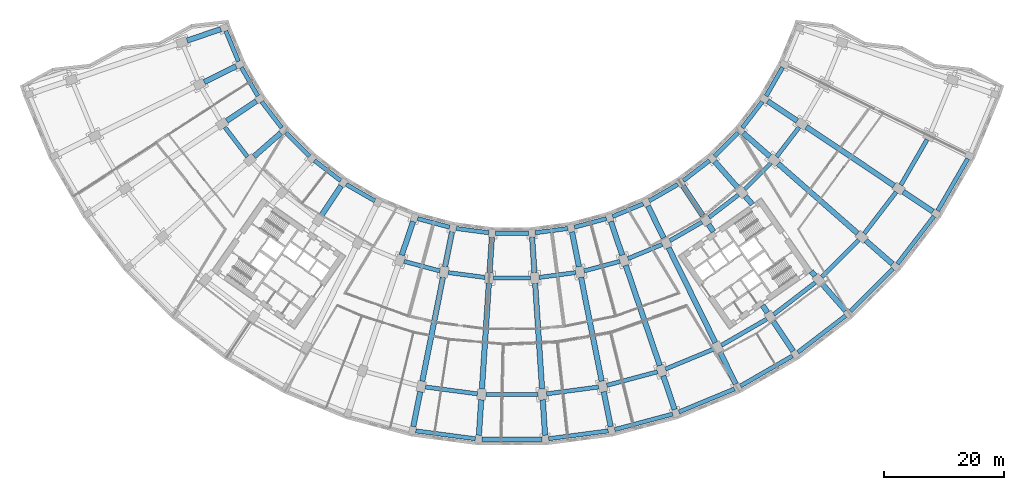
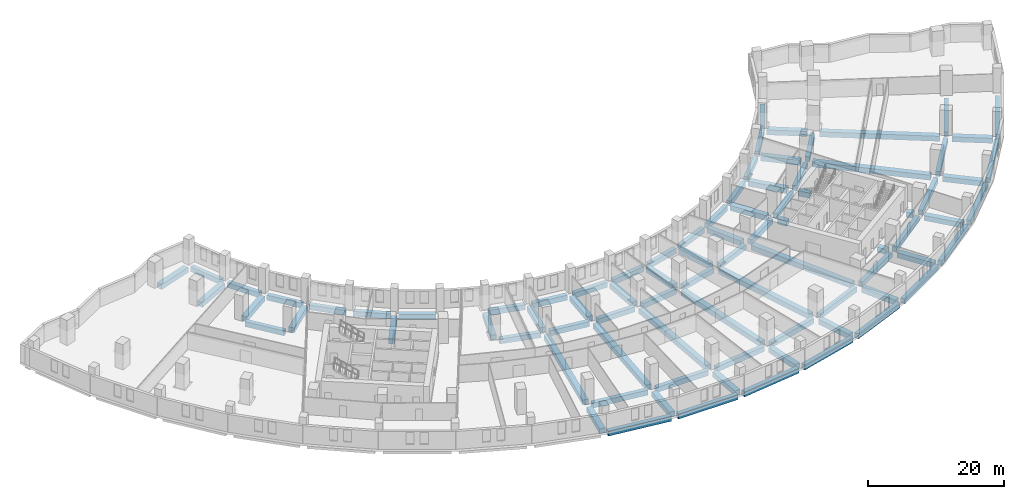
# One storey, part 2 of 20: 86 beams.
"""IFC4 building model written with IfcOpenShell, lengths in metres."""

from ifc_helpers import new_model, si_unit, direction, frame, origin, origin_2d, place, context, subcontext, project, spatial, rectangle, extrude, material, material_profile, profile_set, type_object, element, save


model = new_model("IFC4")

# Units and contexts
model_context = context("Model", 3, precision=1e-05, world=origin(), true_north=direction((0.0, 1.0)))
body_context = subcontext(model_context, "Body", "Model", "MODEL_VIEW")
ifc_project = project(units=[si_unit("LENGTHUNIT", "METRE"), si_unit("AREAUNIT", "SQUARE_METRE"), si_unit("VOLUMEUNIT", "CUBIC_METRE"), si_unit("PLANEANGLEUNIT", "RADIAN"), si_unit("MASSUNIT", "GRAM", prefix="KILO")], contexts=[model_context])

# Site, building, storey
site_placement = place(None, origin())
site = spatial("IfcSite", under=ifc_project, at=site_placement, CompositionType="ELEMENT")
building_placement = place(site_placement, origin())
building = spatial("IfcBuilding", under=site, at=building_placement, Name="Qamariyya Broadcast Tower", CompositionType="ELEMENT")
storey_placement = place(building_placement, frame((0.0, 0.0, 31.5)))
storey = spatial("IfcBuildingStorey", under=building, at=storey_placement, Name="L04", CompositionType="ELEMENT", Elevation=31.5)

# Beams
ifc_material = material(Name="Concrete C50/60", Category="concrete")
ifc_material_profile_1 = material_profile(ifc_material, rectangle(XDim=0.699951171875, YDim=0.89990234375, at=origin_2d()))
ifc_profile_set_1 = profile_set([ifc_material_profile_1], Name="Concrete C50/60")
beam_type_1 = type_object("IfcBeamType", Name="RC edge beam 700 x 900 C50/60", PredefinedType="SPANDREL", material=ifc_profile_set_1)
beam_1_placement = place(storey_placement, frame((-47.845703125, -16.822265625, -0.85009765625), z_axis=(0.382654292645, -0.92389160204, 0.0), x_axis=(0.92389160204, 0.382654292645, 0.0)))
element("IfcBeam", 1, at=beam_1_placement, inside=storey, type_object=beam_type_1, Name="Edge beam B2 L04 A R01-R02", PredefinedType="SPANDREL", context=body_context, shape_type="SweptSolid", body=[
    extrude(rectangle(XDim=0.699951171875, YDim=0.89990234375, at=origin_2d()), origin(), (0.0, 0.0, 1.0), 5.5361328125),
])
for number, where, z_axis, x_axis, name in (
    (2, (-45.24072265625, -22.923583984375, -0.85009765625), (0.500018944545, -0.86601446587, 0.0), (0.86601446587, 0.500018944545, 0.0), "Edge beam B2 L04 A R02-R03"),
    (3, (-41.861572265625, -28.632568359375, -0.85009765625), (0.60877682934, -0.793341522964, 0.0), (0.793341522964, 0.60877682934, 0.0), "Edge beam B2 L04 A R03-R04"),
):
    element("IfcBeam", number, at=place(storey_placement, frame(where, z_axis=z_axis, x_axis=x_axis)), inside=storey, type_object=beam_type_1, Name=name, PredefinedType="SPANDREL", context=body_context, shape_type="SweptSolid", body=[
        extrude(rectangle(XDim=0.699951171875, YDim=0.89990234375, at=origin_2d()), origin(), (0.0, 0.0, 1.0), 5.535888671875),
    ])
beam_2_placement = place(storey_placement, frame((-37.76611328125, -33.8515625, -0.85009765625), z_axis=(0.707106781187, -0.707106781187, 0.0), x_axis=(0.707106781187, 0.707106781187, 0.0)))
element("IfcBeam", 4, at=beam_2_placement, inside=storey, type_object=beam_type_1, Name="Edge beam B2 L04 A R04-R05", PredefinedType="SPANDREL", context=body_context, shape_type="SweptSolid", body=[
    extrude(rectangle(XDim=0.699951171875, YDim=0.89990234375, at=origin_2d()), origin(), (0.0, 0.0, 1.0), 5.5361328125),
])
for number, where, z_axis, x_axis, name in (
    (5, (-33.0244140625, -38.491455078125, -0.85009765625), (0.793341522964, -0.60877682934, 0.0), (0.60877682934, 0.793341522964, 0.0), "Edge beam B2 L04 A R05-R06"),
    (6, (-27.7177734375, -42.47265625, -0.85009765625), (0.86601446587, -0.500018944545, 0.0), (0.500018944545, 0.86601446587, 0.0), "Edge beam B2 L04 A R06-R07"),
    (7, (-15.78076171875, -48.199462890625, -0.85009765625), (0.965935650788, -0.25878237679, 0.0), (0.25878237679, 0.965935650788, 0.0), "Edge beam B2 L04 A R08-R09"),
    (8, (-9.354248046875, -49.8466796875, -0.85009765625), (0.991443033841, -0.130540072958, 0.0), (0.130540072958, 0.991443033841, 0.0), "Edge beam B2 L04 A R09-R10"),
):
    element("IfcBeam", number, at=place(storey_placement, frame(where, z_axis=z_axis, x_axis=x_axis)), inside=storey, type_object=beam_type_1, Name=name, PredefinedType="SPANDREL", context=body_context, shape_type="SweptSolid", body=[
        extrude(rectangle(XDim=0.699951171875, YDim=0.89990234375, at=origin_2d()), origin(), (0.0, 0.0, 1.0), 5.535888671875),
    ])
beam_3_placement = place(storey_placement, frame((-2.76806640625, -50.641357421875, -0.85009765625), z_axis=(1.0, 0.0, 0.0), x_axis=(0.0, 1.0, 0.0)))
element("IfcBeam", 9, at=beam_3_placement, inside=storey, type_object=beam_type_1, Name="Edge beam B2 L04 A R10-R11", PredefinedType="SPANDREL", context=body_context, shape_type="SweptSolid", body=[
    extrude(rectangle(XDim=0.699951171875, YDim=0.89990234375, at=origin_2d()), origin(), (0.0, 0.0, 1.0), 5.5361328125),
])
for number, where, z_axis, x_axis, name in (
    (10, (3.86572265625, -50.5693359375, -0.85009765625), (0.991443033841, 0.130540072958, 0.0), (-0.130540072958, 0.991443033841, 0.0), "Edge beam B2 L04 A R11-R12"),
    (11, (10.433349609375, -49.632080078125, -0.85009765625), (0.965935650788, 0.25878237679, 0.0), (-0.25878237679, 0.965935650788, 0.0), "Edge beam B2 L04 A R12-R13"),
):
    element("IfcBeam", number, at=place(storey_placement, frame(where, z_axis=z_axis, x_axis=x_axis)), inside=storey, type_object=beam_type_1, Name=name, PredefinedType="SPANDREL", context=body_context, shape_type="SweptSolid", body=[
        extrude(rectangle(XDim=0.699951171875, YDim=0.89990234375, at=origin_2d()), origin(), (0.0, 0.0, 1.0), 5.535888671875),
    ])
beam_4_placement = place(storey_placement, frame((16.822265625, -47.845703125, -0.85009765625), z_axis=(0.92389160204, 0.382654292645, 0.0), x_axis=(-0.382654292645, 0.92389160204, 0.0)))
element("IfcBeam", 12, at=beam_4_placement, inside=storey, type_object=beam_type_1, Name="Edge beam B2 L04 A R13-R14", PredefinedType="SPANDREL", context=body_context, shape_type="SweptSolid", body=[
    extrude(rectangle(XDim=0.699951171875, YDim=0.89990234375, at=origin_2d()), origin(), (0.0, 0.0, 1.0), 5.5361328125),
])
for number, where, z_axis, x_axis, name in (
    (13, (22.923583984375, -45.24072265625, -0.85009765625), (0.86601446587, 0.500018944545, 0.0), (-0.500018944545, 0.86601446587, 0.0), "Edge beam B2 L04 A R14-R15"),
    (14, (28.632568359375, -41.861572265625, -0.85009765625), (0.793341522964, 0.60877682934, 0.0), (-0.60877682934, 0.793341522964, 0.0), "Edge beam B2 L04 A R15-R16"),
):
    element("IfcBeam", number, at=place(storey_placement, frame(where, z_axis=z_axis, x_axis=x_axis)), inside=storey, type_object=beam_type_1, Name=name, PredefinedType="SPANDREL", context=body_context, shape_type="SweptSolid", body=[
        extrude(rectangle(XDim=0.699951171875, YDim=0.89990234375, at=origin_2d()), origin(), (0.0, 0.0, 1.0), 5.535888671875),
    ])
beam_5_placement = place(storey_placement, frame((33.8515625, -37.76611328125, -0.85009765625), z_axis=(0.707106781187, 0.707106781187, 0.0), x_axis=(-0.707106781187, 0.707106781187, 0.0)))
element("IfcBeam", 15, at=beam_5_placement, inside=storey, type_object=beam_type_1, Name="Edge beam B2 L04 A R16-R17", PredefinedType="SPANDREL", context=body_context, shape_type="SweptSolid", body=[
    extrude(rectangle(XDim=0.699951171875, YDim=0.89990234375, at=origin_2d()), origin(), (0.0, 0.0, 1.0), 5.5361328125),
])
for number, where, z_axis, x_axis, name in (
    (16, (38.491455078125, -33.0244140625, -0.85009765625), (0.60877682934, 0.793341522964, 0.0), (-0.793341522964, 0.60877682934, 0.0), "Edge beam B2 L04 A R17-R18"),
    (17, (42.47265625, -27.7177734375, -0.85009765625), (0.500018944545, 0.86601446587, 0.0), (-0.86601446587, 0.500018944545, 0.0), "Edge beam B2 L04 A R18-R19"),
):
    element("IfcBeam", number, at=place(storey_placement, frame(where, z_axis=z_axis, x_axis=x_axis)), inside=storey, type_object=beam_type_1, Name=name, PredefinedType="SPANDREL", context=body_context, shape_type="SweptSolid", body=[
        extrude(rectangle(XDim=0.699951171875, YDim=0.89990234375, at=origin_2d()), origin(), (0.0, 0.0, 1.0), 5.535888671875),
    ])
for number, where, z_axis, x_axis, name in (
    (18, (-48.006103515625, -32.91845703125, -0.85009765625), (0.608767052878, -0.793349024913, 0.0), (0.793349024913, 0.608767052878, 0.0), "Edge beam B2 L04 B R03-R04"),
    (19, (-18.046142578125, -55.34033203125, -0.85009765625), (0.965927891917, -0.258811335952, 0.0), (0.258811335952, 0.965927891917, 0.0), "Edge beam B2 L04 B R08-R09"),
    (20, (-10.66845703125, -57.222412109375, -0.85009765625), (0.991447744331, -0.130504292114, 0.0), (0.130504292114, 0.991447744331, 0.0), "Edge beam B2 L04 B R09-R10"),
):
    element("IfcBeam", number, at=place(storey_placement, frame(where, z_axis=z_axis, x_axis=x_axis)), inside=storey, type_object=beam_type_1, Name=name, PredefinedType="SPANDREL", context=body_context, shape_type="SweptSolid", body=[
        extrude(rectangle(XDim=0.699951171875, YDim=0.89990234375, at=origin_2d()), origin(), (0.0, 0.0, 1.0), 6.216552734375),
    ])
beam_6_placement = place(storey_placement, frame((-3.108154296875, -58.125244140625, -0.85009765625), z_axis=(1.0, 0.0, 0.0), x_axis=(0.0, 1.0, 0.0)))
element("IfcBeam", 21, at=beam_6_placement, inside=storey, type_object=beam_type_1, Name="Edge beam B2 L04 B R10-R11", PredefinedType="SPANDREL", context=body_context, shape_type="SweptSolid", body=[
    extrude(rectangle(XDim=0.699951171875, YDim=0.89990234375, at=origin_2d()), origin(), (0.0, 0.0, 1.0), 6.21630859375),
])
for number, where, z_axis, x_axis, name in (
    (22, (4.505126953125, -58.03369140625, -0.85009765625), (0.991447744331, 0.130504292114, 0.0), (-0.130504292114, 0.991447744331, 0.0), "Edge beam B2 L04 B R11-R12"),
    (23, (12.04150390625, -56.94921875, -0.85009765625), (0.965927891917, 0.258811335952, 0.0), (-0.258811335952, 0.965927891917, 0.0), "Edge beam B2 L04 B R12-R13"),
):
    element("IfcBeam", number, at=place(storey_placement, frame(where, z_axis=z_axis, x_axis=x_axis)), inside=storey, type_object=beam_type_1, Name=name, PredefinedType="SPANDREL", context=body_context, shape_type="SweptSolid", body=[
        extrude(rectangle(XDim=0.699951171875, YDim=0.89990234375, at=origin_2d()), origin(), (0.0, 0.0, 1.0), 6.216552734375),
    ])
for number, where, z_axis, x_axis, name in (
    (24, (19.3720703125, -54.89013671875, -0.85009765625), (0.92387897489, 0.38268477858, 0.0), (-0.38268477858, 0.92387897489, 0.0), "Edge beam B2 L04 B R13-R14"),
    (25, (26.370849609375, -51.89208984375, -0.85009765625), (0.86602796805, 0.499995558535, 0.0), (-0.499995558535, 0.86602796805, 0.0), "Edge beam B2 L04 B R14-R15"),
):
    element("IfcBeam", number, at=place(storey_placement, frame(where, z_axis=z_axis, x_axis=x_axis)), inside=storey, type_object=beam_type_1, Name=name, PredefinedType="SPANDREL", context=body_context, shape_type="SweptSolid", body=[
        extrude(rectangle(XDim=0.699951171875, YDim=0.89990234375, at=origin_2d()), origin(), (0.0, 0.0, 1.0), 6.21630859375),
    ])
for number, where, z_axis, x_axis, name in (
    (26, (32.91845703125, -48.006103515625, -0.85009765625), (0.793349024913, 0.608767052878, 0.0), (-0.608767052878, 0.793349024913, 0.0), "Edge beam B2 L04 B R15-R16"),
    (27, (38.90283203125, -43.298583984375, -0.85009765625), (0.707106781187, 0.707106781187, 0.0), (-0.707106781187, 0.707106781187, 0.0), "Edge beam B2 L04 B R16-R17"),
    (28, (44.2216796875, -37.850341796875, -0.85009765625), (0.608767052878, 0.793349024913, 0.0), (-0.793349024913, 0.608767052878, 0.0), "Edge beam B2 L04 B R17-R18"),
):
    element("IfcBeam", number, at=place(storey_placement, frame(where, z_axis=z_axis, x_axis=x_axis)), inside=storey, type_object=beam_type_1, Name=name, PredefinedType="SPANDREL", context=body_context, shape_type="SweptSolid", body=[
        extrude(rectangle(XDim=0.699951171875, YDim=0.89990234375, at=origin_2d()), origin(), (0.0, 0.0, 1.0), 6.216552734375),
    ])
for number, where, z_axis, x_axis, name in (
    (29, (-14.47265625, -76.34765625, -0.85009765625), (0.991445668121, -0.130520064222, 0.0), (0.130520064222, 0.991445668121, 0.0), "Edge beam B2 L04 C R09-R10"),
    (30, (-4.383544921875, -77.58349609375, -0.85009765625), (1.0, 0.0, 0.0), (0.0, 1.0, 0.0), "Edge beam B2 L04 C R10-R11"),
    (31, (5.780517578125, -77.491943359375, -0.85009765625), (0.991445668121, 0.130520064222, 0.0), (-0.130520064222, 0.991445668121, 0.0), "Edge beam B2 L04 C R11-R12"),
    (32, (15.845947265625, -76.074462890625, -0.85009765625), (0.965926422845, 0.258816818714, 0.0), (-0.258816818714, 0.965926422845, 0.0), "Edge beam B2 L04 C R12-R13"),
    (33, (25.64013671875, -73.35546875, -0.85009765625), (0.923869185896, 0.38270841035, 0.0), (-0.38270841035, 0.923869185896, 0.0), "Edge beam B2 L04 C R13-R14"),
):
    element("IfcBeam", number, at=place(storey_placement, frame(where, z_axis=z_axis, x_axis=x_axis)), inside=storey, type_object=beam_type_1, Name=name, PredefinedType="SPANDREL", context=body_context, shape_type="SweptSolid", body=[
        extrude(rectangle(XDim=0.699951171875, YDim=0.89990234375, at=origin_2d()), origin(), (0.0, 0.0, 1.0), 8.76708984375),
    ])
beam_7_placement = place(storey_placement, frame((34.995361328125, -69.381103515625, -0.85009765625), z_axis=(0.86603255856, 0.499987607361, 0.0), x_axis=(-0.499987607361, 0.86603255856, 0.0)))
element("IfcBeam", 34, at=beam_7_placement, inside=storey, type_object=beam_type_1, Name="Edge beam B2 L04 C R14-R15", PredefinedType="SPANDREL", context=body_context, shape_type="SweptSolid", body=[
    extrude(rectangle(XDim=0.699951171875, YDim=0.89990234375, at=origin_2d()), origin(), (0.0, 0.0, 1.0), 8.767333984375),
])
for number, where, z_axis, x_axis, name in (
    (35, (43.752197265625, -64.2197265625, -0.85009765625), (0.79334498231, 0.608772321187, 0.0), (-0.608772321187, 0.79334498231, 0.0), "Edge beam B2 L04 C R15-R16"),
    (36, (51.76025390625, -57.95947265625, -0.85009765625), (0.707106781187, 0.707106781187, 0.0), (-0.707106781187, 0.707106781187, 0.0), "Edge beam B2 L04 C R16-R17"),
    (37, (58.882568359375, -50.70751953125, -0.85009765625), (0.608772321187, 0.79334498231, 0.0), (-0.79334498231, 0.608772321187, 0.0), "Edge beam B2 L04 C R17-R18"),
):
    element("IfcBeam", number, at=place(storey_placement, frame(where, z_axis=z_axis, x_axis=x_axis)), inside=storey, type_object=beam_type_1, Name=name, PredefinedType="SPANDREL", context=body_context, shape_type="SweptSolid", body=[
        extrude(rectangle(XDim=0.699951171875, YDim=0.89990234375, at=origin_2d()), origin(), (0.0, 0.0, 1.0), 8.76708984375),
    ])
beam_8_placement = place(storey_placement, frame((64.99755859375, -42.588134765625, -0.85009765625), z_axis=(0.499987607361, 0.86603255856, 0.0), x_axis=(-0.86603255856, 0.499987607361, 0.0)))
element("IfcBeam", 38, at=beam_8_placement, inside=storey, type_object=beam_type_1, Name="Edge beam B2 L04 C R18-R19", PredefinedType="SPANDREL", context=body_context, shape_type="SweptSolid", body=[
    extrude(rectangle(XDim=0.699951171875, YDim=0.89990234375, at=origin_2d()), origin(), (0.0, 0.0, 1.0), 8.767333984375),
])
for number, where, z_axis, x_axis, name in (
    (39, (-16.0849609375, -83.683837890625, -0.85009765625), (0.991443211053, -0.130538727039, 0.0), (0.130538727039, 0.991443211053, 0.0), "Edge beam B2 L04 D R09-R10"),
    (40, (-5.0244140625, -85.0673828125, -0.85009765625), (1.0, 0.0, 0.0), (0.0, 1.0, 0.0), "Edge beam B2 L04 D R10-R11"),
    (41, (6.1220703125, -84.99560546875, -0.85009765625), (0.991443211053, 0.130538727039, 0.0), (-0.130538727039, 0.991443211053, 0.0), "Edge beam B2 L04 D R11-R12"),
    (42, (17.163818359375, -83.46923828125, -0.85009765625), (0.96592657939, 0.258816234475, 0.0), (-0.258816234475, 0.96592657939, 0.0), "Edge beam B2 L04 D R12-R13"),
    (43, (27.911865234375, -80.514892578125, -0.85009765625), (0.923882101991, 0.382677229034, 0.0), (-0.382677229034, 0.923882101991, 0.0), "Edge beam B2 L04 D R13-R14"),
    (44, (38.182373046875, -76.182861328125, -0.85009765625), (0.866027799164, 0.499995851058, 0.0), (-0.499995851058, 0.866027799164, 0.0), "Edge beam B2 L04 D R14-R15"),
):
    element("IfcBeam", number, at=place(storey_placement, frame(where, z_axis=z_axis, x_axis=x_axis)), inside=storey, type_object=beam_type_1, Name=name, PredefinedType="SPANDREL", context=body_context, shape_type="SweptSolid", body=[
        extrude(rectangle(XDim=0.699951171875, YDim=0.89990234375, at=origin_2d()), origin(), (0.0, 0.0, 1.0), 10.048828125),
    ])
for number, where, z_axis, x_axis, name in (
    (45, (47.799560546875, -70.54736328125, -0.85009765625), (0.793354077072, 0.608760468816, 0.0), (-0.608760468816, 0.793354077072, 0.0), "Edge beam B2 L04 D R15-R16"),
    (46, (56.598876953125, -63.70458984375, -0.85009765625), (0.707106781187, 0.707106781187, 0.0), (-0.707106781187, 0.707106781187, 0.0), "Edge beam B2 L04 D R16-R17"),
    (47, (64.429931640625, -55.77197265625, -0.85009765625), (0.608760468816, 0.793354077072, 0.0), (-0.793354077072, 0.608760468816, 0.0), "Edge beam B2 L04 D R17-R18"),
):
    element("IfcBeam", number, at=place(storey_placement, frame(where, z_axis=z_axis, x_axis=x_axis)), inside=storey, type_object=beam_type_1, Name=name, PredefinedType="SPANDREL", context=body_context, shape_type="SweptSolid", body=[
        extrude(rectangle(XDim=0.699951171875, YDim=0.89990234375, at=origin_2d()), origin(), (0.0, 0.0, 1.0), 10.049072265625),
    ])
beam_9_placement = place(storey_placement, frame((71.158447265625, -46.885009765625, -0.85009765625), z_axis=(0.499995851058, 0.866027799164, 0.0), x_axis=(-0.866027799164, 0.499995851058, 0.0)))
element("IfcBeam", 48, at=beam_9_placement, inside=storey, type_object=beam_type_1, Name="Edge beam B2 L04 D R18-R19", PredefinedType="SPANDREL", context=body_context, shape_type="SweptSolid", body=[
    extrude(rectangle(XDim=0.699951171875, YDim=0.89990234375, at=origin_2d()), origin(), (0.0, 0.0, 1.0), 10.048828125),
])
ifc_material_profile_2 = material_profile(ifc_material, rectangle(XDim=0.89990234375, YDim=0.89990234375, at=origin_2d()))
ifc_profile_set_2 = profile_set([ifc_material_profile_2], Name="Concrete C50/60")
beam_type_2 = type_object("IfcBeamType", Name="RC radial beam 900 x 900 C50/60", PredefinedType="BEAM", material=ifc_profile_set_2)
beam_10_placement = place(storey_placement, frame((-48.672119140625, -16.52197265625, -0.85009765625), z_axis=(-0.946929197619, -0.32144221051, 0.0), x_axis=(0.32144221051, -0.946929197619, 0.0)))
element("IfcBeam", 49, at=beam_10_placement, inside=storey, type_object=beam_type_2, Name="Radial beam B1 L04 R01 A-B", PredefinedType="BEAM", context=body_context, shape_type="SweptSolid", body=[
    extrude(rectangle(XDim=0.89990234375, YDim=0.89990234375, at=origin_2d()), origin(), (0.0, 0.0, 1.0), 5.949951171875),
])
beam_11_placement = place(storey_placement, frame((-46.099365234375, -22.733642578125, -0.85009765625), z_axis=(-0.896867525941, -0.442299266236, 0.0), x_axis=(0.442299266236, -0.896867525941, 0.0)))
element("IfcBeam", 50, at=beam_11_placement, inside=storey, type_object=beam_type_2, Name="Radial beam B1 L04 R02 A-B", PredefinedType="BEAM", context=body_context, shape_type="SweptSolid", body=[
    extrude(rectangle(XDim=0.89990234375, YDim=0.89990234375, at=origin_2d()), origin(), (0.0, 0.0, 1.0), 5.94970703125),
])
for number, where, z_axis, x_axis, name in (
    (51, (-42.737548828125, -28.556396484375, -0.85009765625), (-0.831469080044, -0.555571029599, 0.0), (0.555571029599, -0.831469080044, 0.0), "Radial beam B1 L04 R03 A-B"),
    (52, (-38.64453125, -33.890380859375, -0.85009765625), (-0.751836547498, -0.659349532377, 0.0), (0.659349532377, -0.751836547498, 0.0), "Radial beam B1 L04 R04 A-B"),
    (53, (-28.556396484375, -42.737548828125, -0.85009765625), (-0.555571029599, -0.831469080044, 0.0), (0.831469080044, -0.555571029599, 0.0), "Radial beam B1 L04 R06 A-B"),
    (54, (-16.52197265625, -48.672119140625, -0.85009765625), (-0.32144221051, -0.946929197619, 0.0), (0.946929197619, -0.32144221051, 0.0), "Radial beam B1 L04 R08 A-B"),
    (55, (-10.027587890625, -50.412353515625, -0.85009765625), (-0.195106018553, -0.980782158037, 0.0), (0.980782158037, -0.195106018553, 0.0), "Radial beam B1 L04 R09 A-B"),
):
    element("IfcBeam", number, at=place(storey_placement, frame(where, z_axis=z_axis, x_axis=x_axis)), inside=storey, type_object=beam_type_2, Name=name, PredefinedType="BEAM", context=body_context, shape_type="SweptSolid", body=[
        extrude(rectangle(XDim=0.89990234375, YDim=0.89990234375, at=origin_2d()), origin(), (0.0, 0.0, 1.0), 5.949951171875),
    ])
beam_12_placement = place(storey_placement, frame((-11.53955078125, -58.013427734375, -0.85009765625), z_axis=(-0.195092142495, -0.980784918286, 0.0), x_axis=(0.980784918286, -0.195092142495, 0.0)))
element("IfcBeam", 56, at=beam_12_placement, inside=storey, type_object=beam_type_2, Name="Radial beam B1 L04 R09 B-C", PredefinedType="BEAM", context=body_context, shape_type="SweptSolid", body=[
    extrude(rectangle(XDim=0.89990234375, YDim=0.89990234375, at=origin_2d()), origin(), (0.0, 0.0, 1.0), 17.699951171875),
])
for number, where, z_axis, x_axis, name in (
    (57, (-15.34375, -77.138671875, -0.85009765625), (-0.195106018553, -0.980782158037, 0.0), (0.980782158037, -0.195106018553, 0.0), "Radial beam B1 L04 R09 C-D"),
    (58, (-3.36181640625, -51.2900390625, -0.85009765625), (-0.065405111908, -0.997858793285, 0.0), (0.997858793285, -0.065405111908, 0.0), "Radial beam B1 L04 R10 A-B"),
):
    element("IfcBeam", number, at=place(storey_placement, frame(where, z_axis=z_axis, x_axis=x_axis)), inside=storey, type_object=beam_type_2, Name=name, PredefinedType="BEAM", context=body_context, shape_type="SweptSolid", body=[
        extrude(rectangle(XDim=0.89990234375, YDim=0.89990234375, at=origin_2d()), origin(), (0.0, 0.0, 1.0), 5.949951171875),
    ])
beam_13_placement = place(storey_placement, frame((-3.86865234375, -59.0234375, -0.85009765625), z_axis=(-0.065393841107, -0.997859531971, 0.0), x_axis=(0.997859531971, -0.065393841107, 0.0)))
element("IfcBeam", 59, at=beam_13_placement, inside=storey, type_object=beam_type_2, Name="Radial beam B1 L04 R10 B-C", PredefinedType="BEAM", context=body_context, shape_type="SweptSolid", body=[
    extrude(rectangle(XDim=0.89990234375, YDim=0.89990234375, at=origin_2d()), origin(), (0.0, 0.0, 1.0), 17.699951171875),
])
for number, where, z_axis, x_axis, name in (
    (60, (-5.14404296875, -78.481689453125, -0.85009765625), (-0.065405111908, -0.997858793285, 0.0), (0.997858793285, -0.065405111908, 0.0), "Radial beam B1 L04 R10 C-D"),
    (61, (3.36181640625, -51.2900390625, -0.85009765625), (0.065405111908, -0.997858793285, 0.0), (0.997858793285, 0.065405111908, 0.0), "Radial beam B1 L04 R11 A-B"),
):
    element("IfcBeam", number, at=place(storey_placement, frame(where, z_axis=z_axis, x_axis=x_axis)), inside=storey, type_object=beam_type_2, Name=name, PredefinedType="BEAM", context=body_context, shape_type="SweptSolid", body=[
        extrude(rectangle(XDim=0.89990234375, YDim=0.89990234375, at=origin_2d()), origin(), (0.0, 0.0, 1.0), 5.949951171875),
    ])
beam_14_placement = place(storey_placement, frame((3.86865234375, -59.0234375, -0.85009765625), z_axis=(0.065393841107, -0.997859531971, 0.0), x_axis=(0.997859531971, 0.065393841107, 0.0)))
element("IfcBeam", 62, at=beam_14_placement, inside=storey, type_object=beam_type_2, Name="Radial beam B1 L04 R11 B-C", PredefinedType="BEAM", context=body_context, shape_type="SweptSolid", body=[
    extrude(rectangle(XDim=0.89990234375, YDim=0.89990234375, at=origin_2d()), origin(), (0.0, 0.0, 1.0), 17.699951171875),
])
for number, where, z_axis, x_axis, name in (
    (63, (5.14404296875, -78.481689453125, -0.85009765625), (0.065405111908, -0.997858793285, 0.0), (0.997858793285, 0.065405111908, 0.0), "Radial beam B1 L04 R11 C-D"),
    (64, (10.027587890625, -50.412353515625, -0.85009765625), (0.195106018553, -0.980782158037, 0.0), (0.980782158037, 0.195106018553, 0.0), "Radial beam B1 L04 R12 A-B"),
):
    element("IfcBeam", number, at=place(storey_placement, frame(where, z_axis=z_axis, x_axis=x_axis)), inside=storey, type_object=beam_type_2, Name=name, PredefinedType="BEAM", context=body_context, shape_type="SweptSolid", body=[
        extrude(rectangle(XDim=0.89990234375, YDim=0.89990234375, at=origin_2d()), origin(), (0.0, 0.0, 1.0), 5.949951171875),
    ])
beam_15_placement = place(storey_placement, frame((11.53955078125, -58.013427734375, -0.85009765625), z_axis=(0.195092142495, -0.980784918286, 0.0), x_axis=(0.980784918286, 0.195092142495, 0.0)))
element("IfcBeam", 65, at=beam_15_placement, inside=storey, type_object=beam_type_2, Name="Radial beam B1 L04 R12 B-C", PredefinedType="BEAM", context=body_context, shape_type="SweptSolid", body=[
    extrude(rectangle(XDim=0.89990234375, YDim=0.89990234375, at=origin_2d()), origin(), (0.0, 0.0, 1.0), 17.699951171875),
])
for number, where, z_axis, x_axis, name in (
    (66, (15.34375, -77.138671875, -0.85009765625), (0.195106018553, -0.980782158037, 0.0), (0.980782158037, 0.195106018553, 0.0), "Radial beam B1 L04 R12 C-D"),
    (67, (16.52197265625, -48.672119140625, -0.85009765625), (0.32144221051, -0.946929197619, 0.0), (0.946929197619, 0.32144221051, 0.0), "Radial beam B1 L04 R13 A-B"),
):
    element("IfcBeam", number, at=place(storey_placement, frame(where, z_axis=z_axis, x_axis=x_axis)), inside=storey, type_object=beam_type_2, Name=name, PredefinedType="BEAM", context=body_context, shape_type="SweptSolid", body=[
        extrude(rectangle(XDim=0.89990234375, YDim=0.89990234375, at=origin_2d()), origin(), (0.0, 0.0, 1.0), 5.949951171875),
    ])
beam_16_placement = place(storey_placement, frame((19.01318359375, -56.010986328125, -0.85009765625), z_axis=(0.321441019674, -0.946929601856, 0.0), x_axis=(0.946929601856, 0.321441019674, 0.0)))
element("IfcBeam", 68, at=beam_16_placement, inside=storey, type_object=beam_type_2, Name="Radial beam B1 L04 R13 B-C", PredefinedType="BEAM", context=body_context, shape_type="SweptSolid", body=[
    extrude(rectangle(XDim=0.89990234375, YDim=0.89990234375, at=origin_2d()), origin(), (0.0, 0.0, 1.0), 17.699951171875),
])
beam_17_placement = place(storey_placement, frame((25.28125, -74.47607421875, -0.85009765625), z_axis=(0.32144221051, -0.946929197619, 0.0), x_axis=(0.946929197619, 0.32144221051, 0.0)))
element("IfcBeam", 69, at=beam_17_placement, inside=storey, type_object=beam_type_2, Name="Radial beam B1 L04 R13 C-D", PredefinedType="BEAM", context=body_context, shape_type="SweptSolid", body=[
    extrude(rectangle(XDim=0.89990234375, YDim=0.89990234375, at=origin_2d()), origin(), (0.0, 0.0, 1.0), 5.949951171875),
])
beam_18_placement = place(storey_placement, frame((22.733642578125, -46.099365234375, -0.85009765625), z_axis=(0.442299266236, -0.896867525941, 0.0), x_axis=(0.896867525941, 0.442299266236, 0.0)))
element("IfcBeam", 70, at=beam_18_placement, inside=storey, type_object=beam_type_2, Name="Radial beam B1 L04 R14 A-B", PredefinedType="BEAM", context=body_context, shape_type="SweptSolid", body=[
    extrude(rectangle(XDim=0.89990234375, YDim=0.89990234375, at=origin_2d()), origin(), (0.0, 0.0, 1.0), 5.94970703125),
])
beam_19_placement = place(storey_placement, frame((26.161376953125, -53.050048828125, -0.85009765625), z_axis=(0.442296435771, -0.896868921808, 0.0), x_axis=(0.896868921808, 0.442296435771, 0.0)))
element("IfcBeam", 71, at=beam_19_placement, inside=storey, type_object=beam_type_2, Name="Radial beam B1 L04 R14 B-C", PredefinedType="BEAM", context=body_context, shape_type="SweptSolid", body=[
    extrude(rectangle(XDim=0.89990234375, YDim=0.89990234375, at=origin_2d()), origin(), (0.0, 0.0, 1.0), 17.699951171875),
])
beam_20_placement = place(storey_placement, frame((34.785888671875, -70.5390625, -0.85009765625), z_axis=(0.442315994054, -0.896859276255, 0.0), x_axis=(0.896859276255, 0.442315994054, 0.0)))
element("IfcBeam", 72, at=beam_20_placement, inside=storey, type_object=beam_type_2, Name="Radial beam B1 L04 R14 C-D", PredefinedType="BEAM", context=body_context, shape_type="SweptSolid", body=[
    extrude(rectangle(XDim=0.89990234375, YDim=0.89990234375, at=origin_2d()), origin(), (0.0, 0.0, 1.0), 5.9501953125),
])
beam_21_placement = place(storey_placement, frame((28.556396484375, -42.737548828125, -0.85009765625), z_axis=(0.555571029599, -0.831469080044, 0.0), x_axis=(0.831469080044, 0.555571029599, 0.0)))
element("IfcBeam", 73, at=beam_21_placement, inside=storey, type_object=beam_type_2, Name="Radial beam B1 L04 R15 A-B", PredefinedType="BEAM", context=body_context, shape_type="SweptSolid", body=[
    extrude(rectangle(XDim=0.89990234375, YDim=0.89990234375, at=origin_2d()), origin(), (0.0, 0.0, 1.0), 5.949951171875),
])
beam_22_placement = place(storey_placement, frame((32.862060546875, -49.181396484375, -0.85009765625), z_axis=(0.555469378272, -0.831536992443, 0.0), x_axis=(0.831536992443, 0.555469378272, 0.0)))
element("IfcBeam", 74, at=beam_22_placement, inside=storey, type_object=beam_type_2, Name="Radial beam B1 L04 R15 B-C", PredefinedType="BEAM", context=body_context, shape_type="SweptSolid", body=[
    extrude(rectangle(XDim=0.89990234375, YDim=0.89990234375, at=origin_2d()), origin(), (0.0, 0.0, 1.0), 1.464599609375),
])
beam_23_placement = place(storey_placement, frame((41.89990234375, -62.707763671875, -0.85009765625), z_axis=(0.555604740558, -0.831446554067, 0.0), x_axis=(0.831446554067, 0.555604740558, 0.0)))
element("IfcBeam", 75, at=beam_23_placement, inside=storey, type_object=beam_type_2, Name="Radial beam B1 L04 R15 B-C", PredefinedType="BEAM", context=body_context, shape_type="SweptSolid", body=[
    extrude(rectangle(XDim=0.89990234375, YDim=0.89990234375, at=origin_2d()), origin(), (0.0, 0.0, 1.0), 1.43212890625),
])
for number, where, z_axis, x_axis, name in (
    (76, (43.695556640625, -65.39501953125, -0.85009765625), (0.555571029599, -0.831469080044, 0.0), (0.831469080044, 0.555571029599, 0.0), "Radial beam B1 L04 R15 C-D"),
    (77, (33.890380859375, -38.64453125, -0.85009765625), (0.659349532377, -0.751836547498, 0.0), (0.751836547498, 0.659349532377, 0.0), "Radial beam B1 L04 R16 A-B"),
):
    element("IfcBeam", number, at=place(storey_placement, frame(where, z_axis=z_axis, x_axis=x_axis)), inside=storey, type_object=beam_type_2, Name=name, PredefinedType="BEAM", context=body_context, shape_type="SweptSolid", body=[
        extrude(rectangle(XDim=0.89990234375, YDim=0.89990234375, at=origin_2d()), origin(), (0.0, 0.0, 1.0), 5.949951171875),
    ])
beam_24_placement = place(storey_placement, frame((39.000244140625, -44.471435546875, -0.85009765625), z_axis=(0.65939107141, -0.751800116351, 0.0), x_axis=(0.751800116351, 0.65939107141, 0.0)))
element("IfcBeam", 78, at=beam_24_placement, inside=storey, type_object=beam_type_2, Name="Radial beam B1 L04 R16 B-C", PredefinedType="BEAM", context=body_context, shape_type="SweptSolid", body=[
    extrude(rectangle(XDim=0.89990234375, YDim=0.89990234375, at=origin_2d()), origin(), (0.0, 0.0, 1.0), 1.8125),
])
beam_25_placement = place(storey_placement, frame((50.011962890625, -57.027587890625, -0.85009765625), z_axis=(0.659282746956, -0.751895112077, 0.0), x_axis=(0.751895112077, 0.659282746956, 0.0)))
element("IfcBeam", 79, at=beam_25_placement, inside=storey, type_object=beam_type_2, Name="Radial beam B1 L04 R16 B-C", PredefinedType="BEAM", context=body_context, shape_type="SweptSolid", body=[
    extrude(rectangle(XDim=0.89990234375, YDim=0.89990234375, at=origin_2d()), origin(), (0.0, 0.0, 1.0), 0.9990234375),
])
beam_26_placement = place(storey_placement, frame((51.857666015625, -59.132080078125, -0.85009765625), z_axis=(0.659329192059, -0.75185438517, 0.0), x_axis=(0.75185438517, 0.659329192059, 0.0)))
element("IfcBeam", 80, at=beam_26_placement, inside=storey, type_object=beam_type_2, Name="Radial beam B1 L04 R16 C-D", PredefinedType="BEAM", context=body_context, shape_type="SweptSolid", body=[
    extrude(rectangle(XDim=0.89990234375, YDim=0.89990234375, at=origin_2d()), origin(), (0.0, 0.0, 1.0), 5.9501953125),
])
beam_27_placement = place(storey_placement, frame((38.64453125, -33.890380859375, -0.85009765625), z_axis=(0.751836547498, -0.659349532377, 0.0), x_axis=(0.659349532377, 0.751836547498, 0.0)))
element("IfcBeam", 81, at=beam_27_placement, inside=storey, type_object=beam_type_2, Name="Radial beam B1 L04 R17 A-B", PredefinedType="BEAM", context=body_context, shape_type="SweptSolid", body=[
    extrude(rectangle(XDim=0.89990234375, YDim=0.89990234375, at=origin_2d()), origin(), (0.0, 0.0, 1.0), 5.949951171875),
])
beam_28_placement = place(storey_placement, frame((44.471435546875, -39.000244140625, -0.85009765625), z_axis=(0.751835404461, -0.659350835746, 0.0), x_axis=(0.659350835746, 0.751835404461, 0.0)))
element("IfcBeam", 82, at=beam_28_placement, inside=storey, type_object=beam_type_2, Name="Radial beam B1 L04 R17 B-C", PredefinedType="BEAM", context=body_context, shape_type="SweptSolid", body=[
    extrude(rectangle(XDim=0.89990234375, YDim=0.89990234375, at=origin_2d()), origin(), (0.0, 0.0, 1.0), 17.699951171875),
])
beam_29_placement = place(storey_placement, frame((59.132080078125, -51.857666015625, -0.85009765625), z_axis=(0.75185438517, -0.659329192059, 0.0), x_axis=(0.659329192059, 0.75185438517, 0.0)))
element("IfcBeam", 83, at=beam_29_placement, inside=storey, type_object=beam_type_2, Name="Radial beam B1 L04 R17 C-D", PredefinedType="BEAM", context=body_context, shape_type="SweptSolid", body=[
    extrude(rectangle(XDim=0.89990234375, YDim=0.89990234375, at=origin_2d()), origin(), (0.0, 0.0, 1.0), 5.9501953125),
])
beam_30_placement = place(storey_placement, frame((42.737548828125, -28.556396484375, -0.85009765625), z_axis=(0.831469080044, -0.555571029599, 0.0), x_axis=(0.555571029599, 0.831469080044, 0.0)))
element("IfcBeam", 84, at=beam_30_placement, inside=storey, type_object=beam_type_2, Name="Radial beam B1 L04 R18 A-B", PredefinedType="BEAM", context=body_context, shape_type="SweptSolid", body=[
    extrude(rectangle(XDim=0.89990234375, YDim=0.89990234375, at=origin_2d()), origin(), (0.0, 0.0, 1.0), 5.949951171875),
])
beam_31_placement = place(storey_placement, frame((49.181396484375, -32.862060546875, -0.85009765625), z_axis=(0.831472648212, -0.555565689433, 0.0), x_axis=(0.555565689433, 0.831472648212, 0.0)))
element("IfcBeam", 85, at=beam_31_placement, inside=storey, type_object=beam_type_2, Name="Radial beam B1 L04 R18 B-C", PredefinedType="BEAM", context=body_context, shape_type="SweptSolid", body=[
    extrude(rectangle(XDim=0.89990234375, YDim=0.89990234375, at=origin_2d()), origin(), (0.0, 0.0, 1.0), 17.699951171875),
])
beam_32_placement = place(storey_placement, frame((65.39501953125, -43.695556640625, -0.85009765625), z_axis=(0.831469080044, -0.555571029599, 0.0), x_axis=(0.555571029599, 0.831469080044, 0.0)))
element("IfcBeam", 86, at=beam_32_placement, inside=storey, type_object=beam_type_2, Name="Radial beam B1 L04 R18 C-D", PredefinedType="BEAM", context=body_context, shape_type="SweptSolid", body=[
    extrude(rectangle(XDim=0.89990234375, YDim=0.89990234375, at=origin_2d()), origin(), (0.0, 0.0, 1.0), 5.949951171875),
])

save(model, "model.ifc")
